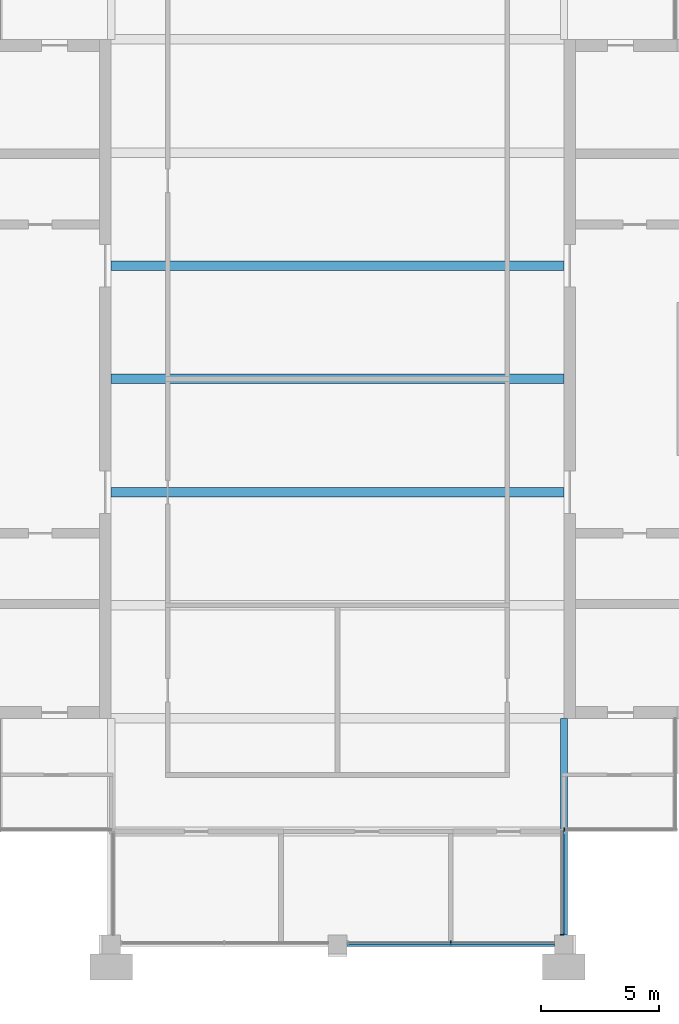
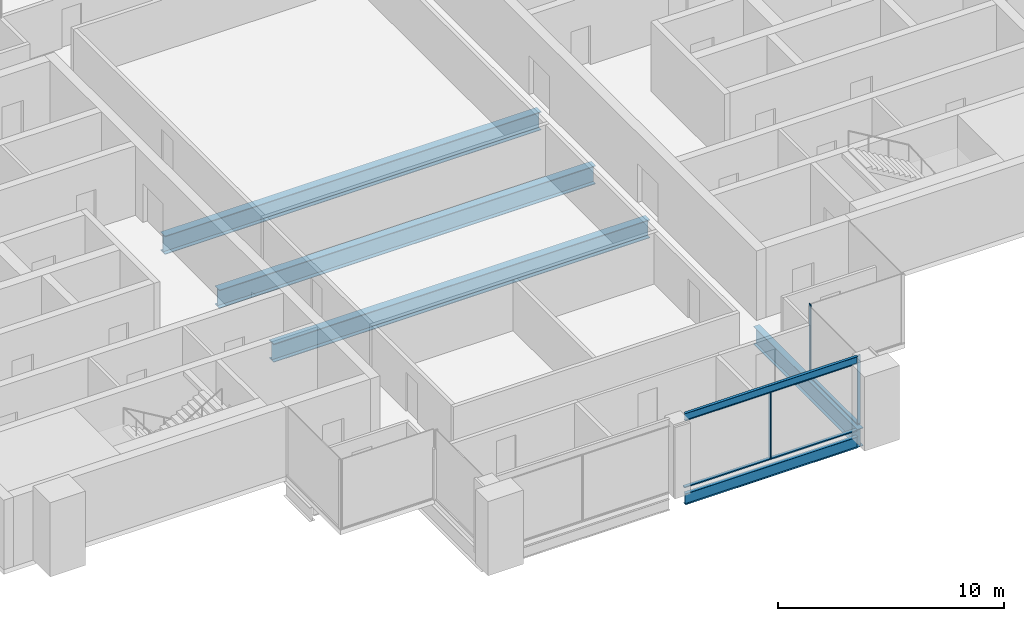
# One storey, part 3 of 11: 6 beams, 5 members, 3 elements without a shape of their own.
"""IFC4 building model written with IfcOpenShell, lengths in metres."""

from ifc_helpers import new_model, si_unit, direction, frame, origin, origin_2d, place, context, subcontext, project, spatial, rectangle, i_section, extrude, material, material_profile, profile_set, type_object, element, aggregate, save


model = new_model("IFC4")

# Units and contexts
model_context = context("Model", 3, precision=1e-05, world=origin(), true_north=direction((0.0, 1.0)))
body_context = subcontext(model_context, "Body", "Model", "MODEL_VIEW")
ifc_project = project(units=[si_unit("LENGTHUNIT", "METRE"), si_unit("AREAUNIT", "SQUARE_METRE"), si_unit("VOLUMEUNIT", "CUBIC_METRE"), si_unit("PLANEANGLEUNIT", "RADIAN"), si_unit("MASSUNIT", "GRAM", prefix="KILO")], contexts=[model_context])

# Site, building, storey
site_placement = place(None, origin())
site = spatial("IfcSite", under=ifc_project, at=site_placement, CompositionType="ELEMENT")
building_placement = place(site_placement, origin())
building = spatial("IfcBuilding", under=site, at=building_placement, Name="Baori Bourse Tower", CompositionType="ELEMENT")
storey_placement = place(building_placement, frame((0.0, 0.0, 358.300048828125)))
storey = spatial("IfcBuildingStorey", under=building, at=storey_placement, Name="L80", CompositionType="ELEMENT", Elevation=358.300048828125)

# Curtain wall, member
ifc_material_1 = material(Name="Pale anodised aluminium", Category="aluminium")
curtain_wall_type = type_object("IfcCurtainWallType", Name="CW3 Curtain wall", PredefinedType="NOTDEFINED", material=ifc_material_1)
curtain_wall_1_placement = place(storey_placement, origin())
curtain_wall_1 = element("IfcCurtainWall", 1, at=curtain_wall_1_placement, inside=storey, type_object=curtain_wall_type, Name="Curtain wall CW3 L80 14", PredefinedType="NOTDEFINED")
ifc_material_2 = material(Name="Pale anodised aluminium", Category="aluminium")
ifc_material_profile_1 = material_profile(ifc_material_2, rectangle(XDim=0.159912109375, YDim=0.050048828125, at=origin_2d()), Name="Mullion 50x160")
ifc_profile_set_1 = profile_set([ifc_material_profile_1], Name="Pale anodised aluminium")
member_type_1 = type_object("IfcMemberType", Name="CW3 Curtain wall mullion", PredefinedType="MULLION", material=ifc_profile_set_1)
member_1_placement = place(storey_placement, frame((33.60009765625, 0.080078125, 0.06005859375), z_axis=(0.0, 0.0, 1.0), x_axis=(0.0, 1.0, 0.0)))
member_1 = element("IfcMember", 2, at=member_1_placement, type_object=member_type_1, Name="Curtain wall CW3 mullion", PredefinedType="MULLION", context=body_context, shape_type="SweptSolid", body=[
    extrude(rectangle(XDim=0.159912109375, YDim=0.050048828125, at=origin_2d()), origin(), (0.0, 0.0, 1.0), 3.68994140625),
])

curtain_wall_2_placement = place(storey_placement, origin())
curtain_wall_2 = element("IfcCurtainWall", 3, at=curtain_wall_2_placement, inside=storey, type_object=curtain_wall_type, Name="Curtain wall CW3 L80 15", PredefinedType="NOTDEFINED")
member_2_placement = place(storey_placement, frame((38.320068359375, 0.425048828125, 0.06005859375), z_axis=(0.0, 0.0, 1.0), x_axis=(-1.0, 0.0, 0.0)))
member_2 = element("IfcMember", 4, at=member_2_placement, type_object=member_type_1, Name="Curtain wall CW3 mullion", PredefinedType="MULLION", context=body_context, shape_type="SweptSolid", body=[
    extrude(rectangle(XDim=0.159912109375, YDim=0.050048828125, at=origin_2d()), origin(), (0.0, 0.0, 1.0), 3.68994140625),
])

curtain_wall_3_placement = place(storey_placement, origin())
curtain_wall_3 = element("IfcCurtainWall", 5, at=curtain_wall_3_placement, inside=storey, type_object=curtain_wall_type, Name="Curtain wall CW3 L80 16", PredefinedType="NOTDEFINED")
member_3_placement = place(storey_placement, frame((38.425048828125, 4.8798828125, 0.06005859375), z_axis=(0.0, 0.0, 1.0), x_axis=(0.0, 1.0, 0.0)))
member_3 = element("IfcMember", 6, at=member_3_placement, type_object=member_type_1, Name="Curtain wall CW3 mullion", PredefinedType="MULLION", context=body_context, shape_type="SweptSolid", body=[
    extrude(rectangle(XDim=0.159912109375, YDim=0.050048828125, at=origin_2d()), origin(), (0.0, 0.0, 1.0), 3.68994140625),
])
aggregate(curtain_wall_3, [member_3])

# Member
ifc_material_3 = material(Name="Pale anodised aluminium", Category="aluminium")
ifc_material_profile_2 = material_profile(ifc_material_3, rectangle(XDim=0.159912109375, YDim=0.06005859375, at=origin_2d()), Name="Transom 60x160")
ifc_profile_set_2 = profile_set([ifc_material_profile_2], Name="Pale anodised aluminium")
member_type_2 = type_object("IfcMemberType", Name="CW3 Curtain wall transom", PredefinedType="USERDEFINED", material=ifc_profile_set_2)
member_4_placement = place(storey_placement, frame((29.199951171875, 0.080078125, 0.030029296875), z_axis=(1.0, 0.0, 0.0), x_axis=(0.0, 1.0, 0.0)))
member_4 = element("IfcMember", 7, at=member_4_placement, type_object=member_type_2, Name="Curtain wall CW3 sill rail", ObjectType="TRANSOM", PredefinedType="USERDEFINED", context=body_context, shape_type="SweptSolid", body=[
    extrude(rectangle(XDim=0.159912109375, YDim=0.06005859375, at=origin_2d()), origin(), (0.0, 0.0, 1.0), 8.800048828125),
])

aggregate(curtain_wall_1, [member_4, member_1])

member_5_placement = place(storey_placement, frame((38.320068359375, 0.39990234375, 0.030029296875), z_axis=(0.0, 1.0, 0.0), x_axis=(-1.0, 0.0, 0.0)))
member_5 = element("IfcMember", 8, at=member_5_placement, type_object=member_type_2, Name="Curtain wall CW3 sill rail", ObjectType="TRANSOM", PredefinedType="USERDEFINED", context=body_context, shape_type="SweptSolid", body=[
    extrude(rectangle(XDim=0.159912109375, YDim=0.06005859375, at=origin_2d()), origin(), (0.0, 0.0, 1.0), 4.400146484375),
])

aggregate(curtain_wall_2, [member_5, member_2])

# Beams
ifc_material_4 = material(Name="Steel A992 Gr 50", Category="steel")
ifc_material_profile_3 = material_profile(ifc_material_4, i_section(OverallWidth=0.177978515625, OverallDepth=0.599365234375, WebThickness=0.010009765625, FlangeThickness=0.012939453125, at=origin_2d()), Name="W24x55")
ifc_profile_set_3 = profile_set([ifc_material_profile_3], Name="Steel A992 Gr 50")
beam_type_1 = type_object("IfcBeamType", Name="Edge beam W24x55", PredefinedType="BEAM", material=ifc_profile_set_3)
beam_1_placement = place(storey_placement, frame((29.199951171875, 0.0, -0.5498046875), z_axis=(1.0, 0.0, 0.0), x_axis=(0.0, 1.0, 0.0)))
element("IfcBeam", 9, at=beam_1_placement, inside=storey, type_object=beam_type_1, Name="Edge beam L80", PredefinedType="BEAM", context=body_context, shape_type="SweptSolid", body=[
    extrude(i_section(OverallWidth=0.177978515625, OverallDepth=0.599365234375, WebThickness=0.010009765625, FlangeThickness=0.012939453125, at=origin_2d()), origin(), (0.0, 0.0, 1.0), 8.800048828125),
])
ifc_material_5 = material(Name="Steel A992 Gr 50", Category="steel")
ifc_material_profile_4 = material_profile(ifc_material_5, i_section(OverallWidth=0.4013671875, OverallDepth=0.990478515625, WebThickness=0.0166015625, FlangeThickness=0.031005859375, at=origin_2d()), Name="W40x215")
ifc_profile_set_4 = profile_set([ifc_material_profile_4], Name="Steel A992 Gr 50")
beam_type_2 = type_object("IfcBeamType", Name="Floor beam W40x215", PredefinedType="BEAM", material=ifc_profile_set_4)
for number, where, z_axis, x_axis, name in (
    (10, (19.199951171875, 19.199951171875, -0.745361328125), (1.0, 0.0, 0.0), (0.0, 1.0, 0.0), "Floor beam L80"),
    (11, (19.199951171875, 24.0, -0.745361328125), (1.0, 0.0, 0.0), (0.0, 1.0, 0.0), "Floor beam L80"),
    (12, (19.199951171875, 28.800048828125, -0.745361328125), (1.0, 0.0, 0.0), (0.0, 1.0, 0.0), "Floor beam L80"),
):
    element("IfcBeam", number, at=place(storey_placement, frame(where, z_axis=z_axis, x_axis=x_axis)), inside=storey, type_object=beam_type_2, Name=name, PredefinedType="BEAM", context=body_context, shape_type="SweptSolid", body=[
        extrude(i_section(OverallWidth=0.4013671875, OverallDepth=0.990478515625, WebThickness=0.0166015625, FlangeThickness=0.031005859375, at=origin_2d()), origin(), (0.0, 0.0, 1.0), 19.199951171875),
    ])
ifc_material_6 = material(Name="Steel A992 Gr 50", Category="steel")
ifc_material_profile_5 = material_profile(ifc_material_6, i_section(OverallWidth=0.2998046875, OverallDepth=0.97021484375, WebThickness=0.01611328125, FlangeThickness=0.02099609375, at=origin_2d()), Name="W40x149")
ifc_profile_set_5 = profile_set([ifc_material_profile_5], Name="Steel A992 Gr 50")
beam_type_3 = type_object("IfcBeamType", Name="Girder W40x149", PredefinedType="BEAM", material=ifc_profile_set_5)
beam_2_placement = place(storey_placement, frame((38.39990234375, 0.39990234375, -0.735107421875), z_axis=(0.0, 1.0, 0.0), x_axis=(-1.0, 0.0, 0.0)))
element("IfcBeam", 13, at=beam_2_placement, inside=storey, type_object=beam_type_3, Name="Girder L80", PredefinedType="BEAM", context=body_context, shape_type="SweptSolid", body=[
    extrude(i_section(OverallWidth=0.2998046875, OverallDepth=0.97021484375, WebThickness=0.01611328125, FlangeThickness=0.02099609375, at=origin_2d()), origin(), (0.0, 0.0, 1.0), 9.2001953125),
])
ifc_material_7 = material(Name="Steel A992 Gr 50", Category="steel")
ifc_material_profile_6 = material_profile(ifc_material_7, i_section(OverallWidth=0.140380859375, OverallDepth=0.40380859375, WebThickness=0.007080078125, FlangeThickness=0.01123046875, at=origin_2d()), Name="W16x31")
ifc_profile_set_6 = profile_set([ifc_material_profile_6], Name="Steel A992 Gr 50")
beam_type_4 = type_object("IfcBeamType", Name="Roof edge beam W16x31", PredefinedType="BEAM", material=ifc_profile_set_6)
beam_3_placement = place(storey_placement, frame((29.199951171875, 0.0, 3.8662109375), z_axis=(1.0, 0.0, 0.0), x_axis=(0.0, 1.0, 0.0)))
element("IfcBeam", 14, at=beam_3_placement, inside=storey, type_object=beam_type_4, Name="Roof edge beam Roof", PredefinedType="BEAM", context=body_context, shape_type="SweptSolid", body=[
    extrude(i_section(OverallWidth=0.140380859375, OverallDepth=0.40380859375, WebThickness=0.007080078125, FlangeThickness=0.01123046875, at=origin_2d()), origin(), (0.0, 0.0, 1.0), 8.800048828125),
])

save(model, "model.ifc")
